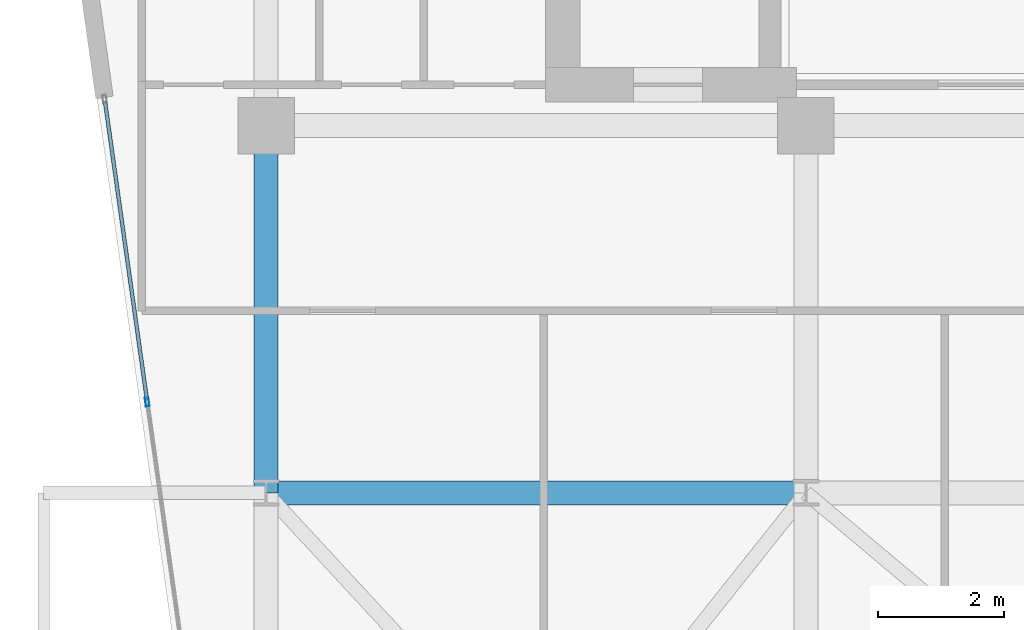
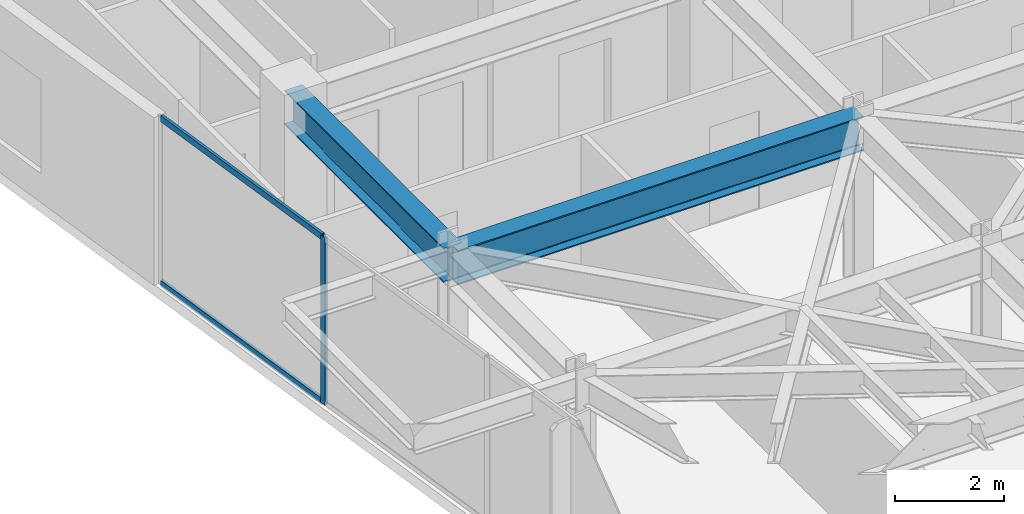
# One storey, part 10 of 26: 3 members, 2 beams, 1 element without a shape of its own.
"""IFC4 building model written with IfcOpenShell, lengths in metres."""

from ifc_helpers import new_model, si_unit, direction, frame, origin, origin_2d, place, context, subcontext, project, spatial, hollow_rectangle, i_section, extrude, material, layer, layer_set, material_profile, profile_set, type_object, element, aggregate, save


model = new_model("IFC4")

# Units and contexts
model_context = context("Model", 3, precision=1e-05, world=origin(), true_north=direction((0.0, 1.0)))
body_context = subcontext(model_context, "Body", "Model", "MODEL_VIEW")
ifc_project = project(units=[si_unit("LENGTHUNIT", "METRE"), si_unit("AREAUNIT", "SQUARE_METRE"), si_unit("VOLUMEUNIT", "CUBIC_METRE"), si_unit("PLANEANGLEUNIT", "RADIAN"), si_unit("MASSUNIT", "GRAM", prefix="KILO")], contexts=[model_context])

# Site, building, storey
site_placement = place(None, origin())
site = spatial("IfcSite", under=ifc_project, at=site_placement, CompositionType="ELEMENT")
building_placement = place(site_placement, origin())
building = spatial("IfcBuilding", under=site, at=building_placement, Name="Kravanh Interchange Tower", CompositionType="ELEMENT")
storey_placement = place(building_placement, frame((0.0, 0.0, 180.5)))
storey = spatial("IfcBuildingStorey", under=building, at=storey_placement, Name="L43", CompositionType="ELEMENT", Elevation=180.5)

# Curtain wall, members
ifc_material_1 = material(Name="Anodised Bronze Aluminium", Category="aluminium")
ifc_layer = layer(ifc_material_1, 0.179931640625)
ifc_layer_set = layer_set([ifc_layer], Name="Unitised Curtain Wall System CW-Z3 Upper Office")
curtain_wall_type = type_object("IfcCurtainWallType", Name="Unitised Curtain Wall System CW-Z3 Upper Office", PredefinedType="NOTDEFINED", material=ifc_layer_set)
curtain_wall_placement = place(storey_placement, origin())
curtain_wall = element("IfcCurtainWall", 1, at=curtain_wall_placement, inside=storey, type_object=curtain_wall_type, Name="L43 Unitised Curtain Wall CW-L43-01", PredefinedType="NOTDEFINED")
ifc_material_2 = material(Name="Anodised Bronze Aluminium", Category="aluminium")
ifc_material_profile_1 = material_profile(ifc_material_2, hollow_rectangle(XDim=0.06005859375, YDim=0.139892578125, WallThickness=0.00390625, at=origin_2d()), Name="ALU60X140X4")
ifc_profile_set_1 = profile_set([ifc_material_profile_1], Name="Anodised Bronze Aluminium")
member_type_1 = type_object("IfcMemberType", Name="Curtain Wall Mullion ALU60X140X4 Bronze", PredefinedType="MULLION", material=ifc_profile_set_1)
member_1_placement = place(storey_placement, frame((16.706787109375, 32.9482421875, 0.0), z_axis=(0.0, 0.0, 1.0), x_axis=(-0.990268194035, -0.139172209446, 0.0)))
member_1 = element("IfcMember", 2, at=member_1_placement, type_object=member_type_1, Name="CW-Z3 mullion 5", PredefinedType="MULLION", context=body_context, shape_type="SweptSolid", body=[
    extrude(hollow_rectangle(XDim=0.06005859375, YDim=0.139892578125, WallThickness=0.00390625, at=origin_2d()), origin(), (0.0, 0.0, 1.0), 3.7548828125),
])
ifc_material_3 = material(Name="Anodised Bronze Aluminium", Category="aluminium")
ifc_material_profile_2 = material_profile(ifc_material_3, hollow_rectangle(XDim=0.06005859375, YDim=0.139892578125, WallThickness=0.00390625, at=origin_2d()), Name="ALU60X140X4")
ifc_profile_set_2 = profile_set([ifc_material_profile_2], Name="Anodised Bronze Aluminium")
member_type_2 = type_object("IfcMemberType", Name="Curtain Wall Transom ALU60X140X4 Bronze", PredefinedType="USERDEFINED", material=ifc_profile_set_2)
member_2_placement = place(storey_placement, frame((16.70263671875, 32.977783203125, 0.030029296875), z_axis=(-0.139139718803, 0.990272759724, 0.0), x_axis=(-0.990272759724, -0.139139718803, 0.0)))
member_2 = element("IfcMember", 3, at=member_2_placement, type_object=member_type_2, Name="CW-Z3 transom 5.1", ObjectType="TRANSOM", PredefinedType="USERDEFINED", context=body_context, shape_type="SweptSolid", body=[
    extrude(hollow_rectangle(XDim=0.06005859375, YDim=0.139892578125, WallThickness=0.00390625, at=origin_2d()), origin(), (0.0, 0.0, 1.0), 4.8095703125),
])
member_3_placement = place(storey_placement, frame((16.70263671875, 32.977783203125, 3.72509765625), z_axis=(-0.139139718803, 0.990272759724, 0.0), x_axis=(-0.990272759724, -0.139139718803, 0.0)))
member_3 = element("IfcMember", 4, at=member_3_placement, type_object=member_type_2, Name="CW-Z3 transom 5.2", ObjectType="TRANSOM", PredefinedType="USERDEFINED", context=body_context, shape_type="SweptSolid", body=[
    extrude(hollow_rectangle(XDim=0.06005859375, YDim=0.139892578125, WallThickness=0.00390625, at=origin_2d()), origin(), (0.0, 0.0, 1.0), 4.8095703125),
])
aggregate(curtain_wall, [member_1, member_2, member_3])

# Beams
ifc_material_4 = material(Name="Structural Steel S355", Category="steel")
ifc_material_profile_3 = material_profile(ifc_material_4, i_section(OverallWidth=0.381103515625, OverallDepth=0.77294921875, WebThickness=0.0166015625, FlangeThickness=0.027099609375, FilletRadius=0.02490234375, at=origin_2d()), Name="W30X173")
ifc_profile_set_3 = profile_set([ifc_material_profile_3], Name="Structural Steel S355")
beam_type = type_object("IfcBeamType", Name="Floor Beam W30X173 Structural Steel S355", PredefinedType="BEAM", material=ifc_profile_set_3)
beam_1_placement = place(storey_placement, frame((18.60009765625, 37.35009765625, 3.368408203125), z_axis=(0.0, -1.0, 0.0), x_axis=(1.0, 0.0, 0.0)))
element("IfcBeam", 5, at=beam_1_placement, inside=storey, type_object=beam_type, Name="L43 Primary Floor Girder 28", PredefinedType="BEAM", context=body_context, shape_type="SweptSolid", body=[
    extrude(i_section(OverallWidth=0.381103515625, OverallDepth=0.77294921875, WebThickness=0.0166015625, FlangeThickness=0.027099609375, FilletRadius=0.02490234375, at=origin_2d()), origin(), (0.0, 0.0, 1.0), 5.85009765625),
])
beam_2_placement = place(storey_placement, frame((18.60009765625, 31.5, 3.368408203125), z_axis=(1.0, 0.0, 0.0), x_axis=(0.0, 1.0, 0.0)))
element("IfcBeam", 6, at=beam_2_placement, inside=storey, type_object=beam_type, Name="L43 Primary Floor Girder 61", PredefinedType="BEAM", context=body_context, shape_type="SweptSolid", body=[
    extrude(i_section(OverallWidth=0.381103515625, OverallDepth=0.77294921875, WebThickness=0.0166015625, FlangeThickness=0.027099609375, FilletRadius=0.02490234375, at=origin_2d()), origin(), (0.0, 0.0, 1.0), 8.599853515625),
])

save(model, "model.ifc")
